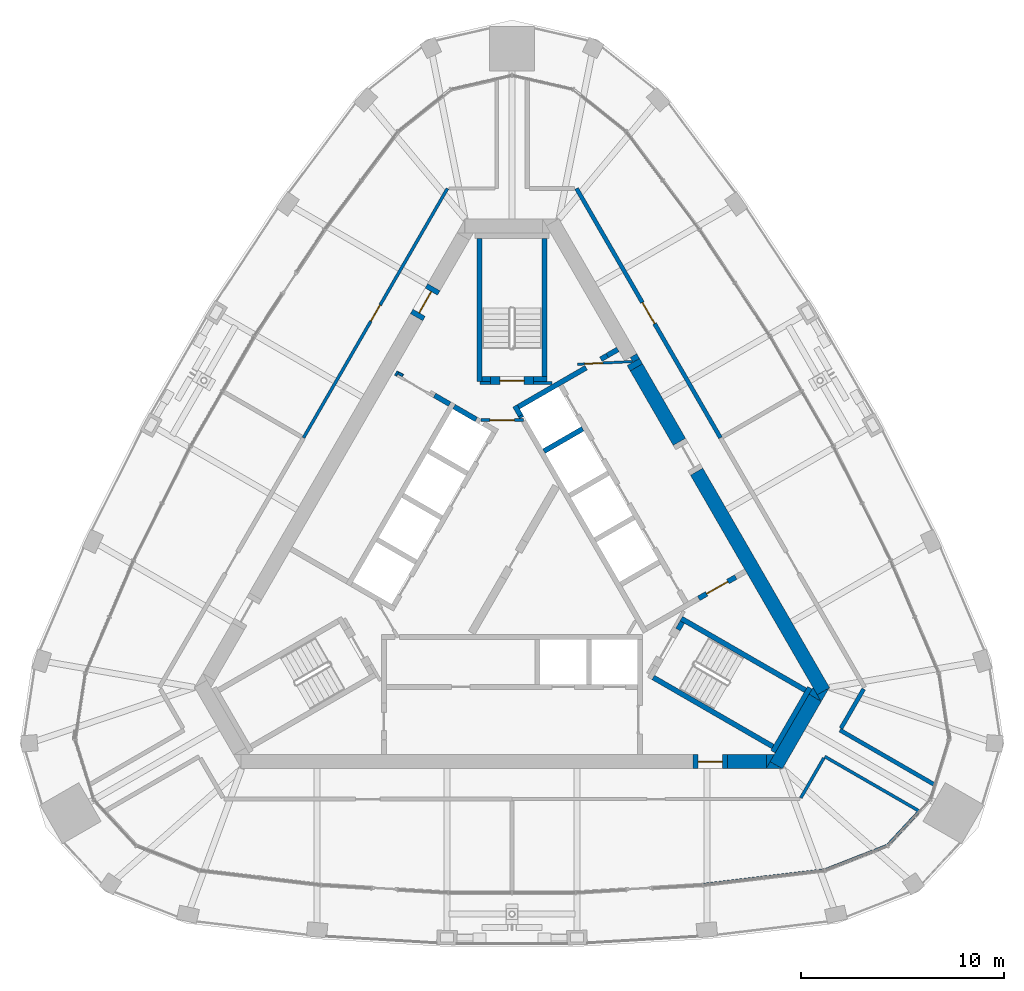
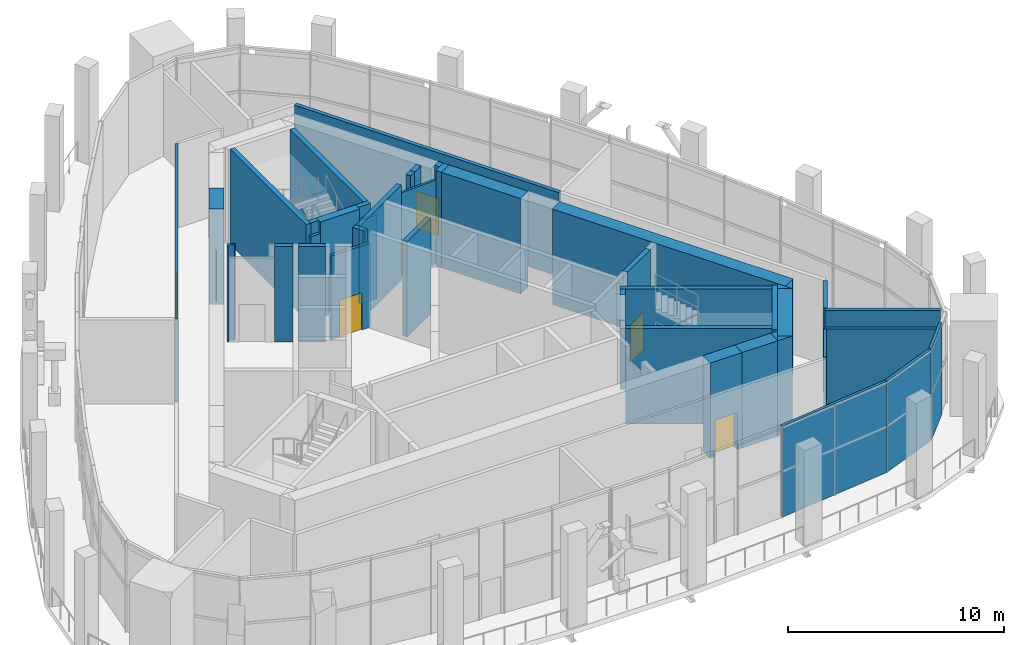
# One storey, part 15 of 23: 45 walls, 8 doors, 8 openings.
"""IFC4 building model written with IfcOpenShell, lengths in metres."""

from ifc_helpers import new_model, si_unit, direction, frame, frame_2d, origin, place, context, subcontext, project, spatial, polyline, rectangle, outline, extrude, material, layer, layer_set, type_object, element, fill, save


model = new_model("IFC4")

# Units and contexts
model_context = context("Model", 3, precision=1e-05, world=origin(), true_north=direction((0.0, 1.0)))
body_context = subcontext(model_context, "Body", "Model", "MODEL_VIEW")
ifc_project = project(units=[si_unit("LENGTHUNIT", "METRE"), si_unit("AREAUNIT", "SQUARE_METRE"), si_unit("VOLUMEUNIT", "CUBIC_METRE"), si_unit("PLANEANGLEUNIT", "RADIAN"), si_unit("MASSUNIT", "GRAM", prefix="KILO")], contexts=[model_context])

# Site, building, storey
site_placement = place(None, origin())
site = spatial("IfcSite", under=ifc_project, at=site_placement, CompositionType="ELEMENT")
building_placement = place(site_placement, origin())
building = spatial("IfcBuilding", under=site, at=building_placement, Name="Mestral Congress Tower", CompositionType="ELEMENT")
storey_placement = place(building_placement, frame((0.0, 0.0, 261.60009765625)))
storey = spatial("IfcBuildingStorey", under=building, at=storey_placement, Name="L61", CompositionType="ELEMENT", Elevation=261.60009765625)

# Walls
ifc_material_1 = material(Name="Fire-rated board partition")
ifc_layer_1 = layer(ifc_material_1, 0.14990234375)
ifc_layer_set_1 = layer_set([ifc_layer_1], Name="Fire-rated board partition")
wall_type_1 = type_object("IfcWallType", Name="Core partition 150", PredefinedType="PARTITIONING", material=ifc_layer_set_1)
wall_1_placement = place(storey_placement, frame((1.050048828125, 8.62548828125, 0.0), z_axis=(0.0, 0.0, 1.0), x_axis=(1.0, 0.0, 0.0)))
element("IfcWall", 1, at=wall_1_placement, inside=storey, type_object=wall_type_1, Name="L61 core wall", PredefinedType="PARTITIONING", context=body_context, shape_type="SweptSolid", body=[
    extrude(rectangle(XDim=0.9287109375, YDim=0.14990234375, at=frame_2d((0.46435546875, 0.0))), origin(), (0.0, 0.0, 1.0), 4.75),
])
wall_2_placement = place(storey_placement, frame((-1.56396484375, 8.62548828125, 0.0), z_axis=(0.0, 0.0, 1.0), x_axis=(1.0, 0.0, 0.0)))
element("IfcWall", 2, at=wall_2_placement, inside=storey, type_object=wall_type_1, Name="L61 core wall", PredefinedType="PARTITIONING", context=body_context, shape_type="SweptSolid", body=[
    extrude(rectangle(XDim=0.513916015625, YDim=0.14990234375, at=frame_2d((0.2568359375, 0.0))), origin(), (0.0, 0.0, 1.0), 4.75),
])

# Wall, opening, door
wall_3_placement = place(storey_placement, frame((-1.534423828125, 6.800048828125, 0.0), z_axis=(0.0, 0.0, 1.0), x_axis=(1.0, 0.0, 0.0)))
wall_3 = element("IfcWall", 3, at=wall_3_placement, inside=storey, type_object=wall_type_1, Name="L61 door wall", PredefinedType="PARTITIONING", context=body_context, shape_type="SweptSolid", body=[
    extrude(rectangle(XDim=2.099853515625, YDim=0.14990234375, at=frame_2d((1.0498046875, 0.0))), origin(), (0.0, 0.0, 1.0), 4.75),
])
opening_1_placement = place(wall_3_placement, frame((0.449951171875, 0.0, 0.0)))
opening_1 = element("IfcOpeningElement", 4, at=opening_1_placement, cuts=wall_3, Name="Opening CD2-FF", PredefinedType="OPENING", context=body_context, shape_type="SweptSolid", body=[
    extrude(rectangle(XDim=1.199951171875, YDim=2.10009765625, at=frame_2d((0.60009765625, 1.050048828125))), frame((0.0, 0.0849609375, 0.0), z_axis=(0.0, -1.0, 0.0), x_axis=(1.0, 0.0, 0.0)), (0.0, 0.0, 1.0), 0.169921875),
])
ifc_material_2 = material(Name="Fire-rated steel door set", Category="steel")
door_type_1 = type_object("IfcDoorType", Name="Core door CD 1200x2100", OperationType="SINGLE_SWING_LEFT", PredefinedType="DOOR", material=ifc_material_2)
door_1_placement = place(opening_1_placement, origin())
door_1 = element("IfcDoor", 5, at=door_1_placement, inside=storey, type_object=door_type_1, Name="Door CD2-FF", OperationType="SINGLE_SWING_LEFT", OverallHeight=2.10009765625, OverallWidth=1.199951171875, PredefinedType="DOOR", context=body_context, shape_type="SweptSolid", body=[
    extrude(rectangle(XDim=1.199951171875, YDim=2.10009765625, at=frame_2d((0.60009765625, 1.050048828125))), frame((0.0, 0.02490234375, 0.0), z_axis=(0.0, -1.0, 0.0), x_axis=(1.0, 0.0, 0.0)), (0.0, 0.0, 1.0), 0.050048828125),
])
fill(opening_1, door_1)

ifc_layer_2 = layer(ifc_material_1, 0.1201171875)
ifc_layer_set_2 = layer_set([ifc_layer_2], Name="Fire-rated board partition")
wall_type_2 = type_object("IfcWallType", Name="Core partition 150 door-wall 120", PredefinedType="PARTITIONING", material=ifc_layer_set_2)
wall_4_placement = place(storey_placement, frame((5.917236328125, 9.684326171875, 0.0), z_axis=(0.0, 0.0, 1.0), x_axis=(-0.998758194515, -0.049820366212, 0.0)))
wall_4 = element("IfcWall", 6, at=wall_4_placement, inside=storey, type_object=wall_type_2, Name="L61 door wall", PredefinedType="PARTITIONING", context=body_context, shape_type="SweptSolid", body=[
    extrude(rectangle(XDim=2.7001953125, YDim=0.119873046875, at=frame_2d((1.35009765625, 0.0))), origin(), (0.0, 0.0, 1.0), 4.75),
])
opening_2_placement = place(wall_4_placement, frame((1.449951171875, 0.0, 0.0)))
opening_2 = element("IfcOpeningElement", 7, at=opening_2_placement, cuts=wall_4, Name="Opening TD2", PredefinedType="OPENING", context=body_context, shape_type="SweptSolid", body=[
    extrude(rectangle(XDim=0.89990234375, YDim=2.10009765625, at=frame_2d((0.449951171875, 1.050048828125))), frame((0.0, 0.06982421875, 0.0), z_axis=(0.0, -1.0, 0.0), x_axis=(1.0, 0.0, 0.0)), (0.0, 0.0, 1.0), 0.139892578125),
])
door_type_2 = type_object("IfcDoorType", Name="Core door SR 900x2100", OperationType="SINGLE_SWING_LEFT", PredefinedType="DOOR", material=ifc_material_2)
door_2_placement = place(opening_2_placement, origin())
door_2 = element("IfcDoor", 8, at=door_2_placement, inside=storey, type_object=door_type_2, Name="Door TD2", OperationType="SINGLE_SWING_LEFT", OverallHeight=2.10009765625, OverallWidth=0.89990234375, PredefinedType="DOOR", context=body_context, shape_type="SweptSolid", body=[
    extrude(rectangle(XDim=0.89990234375, YDim=2.10009765625, at=frame_2d((0.449951171875, 1.050048828125))), frame((0.0, 0.02490234375, 0.0), z_axis=(0.0, -1.0, 0.0), x_axis=(1.0, 0.0, 0.0)), (0.0, 0.0, 1.0), 0.050048828125),
])
fill(opening_2, door_2)

# Walls
ifc_material_3 = material(Name="Concrete C60/75", Category="concrete")
ifc_layer_3 = layer(ifc_material_3, 0.699951171875)
ifc_layer_set_3 = layer_set([ifc_layer_3], Name="Concrete C60/75")
wall_type_3 = type_object("IfcWallType", Name="Core wall RC 700", PredefinedType="SOLIDWALL", material=ifc_layer_set_3)
wall_5_placement = place(storey_placement, frame((9.085205078125, 4.263916015625, 0.0), z_axis=(0.0, 0.0, 1.0), x_axis=(0.499998082512, -0.866026510844, 0.0)))
element("IfcWall", 9, at=wall_5_placement, inside=storey, type_object=wall_type_3, Name="L61 core wall", PredefinedType="SOLIDWALL", context=body_context, shape_type="SweptSolid", body=[
    extrude(rectangle(XDim=12.47216796875, YDim=0.699951171875, at=frame_2d((6.236083984375, 0.0))), origin(), (0.0, 0.0, 1.0), 5.39990234375),
])
placement = place(storey_placement, origin())
element("IfcWall", 10, at=placement, inside=storey, type_object=wall_type_3, Name="L61 core wall", PredefinedType="SOLIDWALL", context=body_context, shape_type="SweptSolid", body=[
    extrude(outline(polyline([(15.213134765625, -7.050048828125), (15.019287109375, -6.714111328125), (15.60107421875, -6.3779296875), (15.213134765625, -7.050048828125)])), origin(), (0.0, 0.0, 1.0), 5.39990234375),
])
wall_7_placement = place(storey_placement, frame((13.002685546875, -10.1787109375, 0.0), z_axis=(0.0, 0.0, 1.0), x_axis=(0.499972675833, 0.866041178825, 0.0)))
element("IfcWall", 11, at=wall_7_placement, inside=storey, type_object=wall_type_3, Name="L61 core wall", PredefinedType="SOLIDWALL", context=body_context, shape_type="SweptSolid", body=[
    extrude(rectangle(XDim=3.828857421875, YDim=0.699951171875, at=frame_2d((1.91455078125, 0.0))), origin(), (0.0, 0.0, 1.0), 5.39990234375),
])
element("IfcWall", 12, at=placement, inside=storey, type_object=wall_type_3, Name="L61 core wall", PredefinedType="SOLIDWALL", context=body_context, shape_type="SweptSolid", body=[
    extrude(outline(polyline([(12.698486328125, -10.00537109375), (13.295654296875, -10.35009765625), (12.49951171875, -10.35009765625), (12.698486328125, -10.00537109375)])), origin(), (0.0, 0.0, 1.0), 5.39990234375),
])
element("IfcWall", 13, at=placement, inside=storey, type_object=wall_type_3, Name="L61 core wall", PredefinedType="SOLIDWALL", context=body_context, shape_type="SweptSolid", body=[
    extrude(outline(polyline([(14.80908203125, -6.35009765625), (15.197265625, -7.022216796875), (14.614990234375, -6.68603515625), (14.80908203125, -6.35009765625)])), origin(), (0.0, 0.0, 1.0), 5.39990234375),
])
wall_10_placement = place(storey_placement, frame((10.6044921875, -10.0, 0.0), z_axis=(0.0, 0.0, 1.0), x_axis=(1.0, 0.0, 0.0)))
element("IfcWall", 14, at=wall_10_placement, inside=storey, type_object=wall_type_3, Name="L61 core wall", PredefinedType="SOLIDWALL", context=body_context, shape_type="SweptSolid", body=[
    extrude(rectangle(XDim=1.909423828125, YDim=0.699951171875, at=frame_2d((0.95458984375, 0.0))), origin(), (0.0, 0.0, 1.0), 5.39990234375),
])
element("IfcWall", 15, at=placement, inside=storey, type_object=wall_type_3, Name="L61 core wall", PredefinedType="SOLIDWALL", context=body_context, shape_type="SweptSolid", body=[
    extrude(outline(polyline([(12.90380859375, -9.64990234375), (12.515869140625, -10.322021484375), (12.515869140625, -9.64990234375), (12.90380859375, -9.64990234375)])), origin(), (0.0, 0.0, 1.0), 5.39990234375),
])
wall_12_placement = place(storey_placement, frame((6.1201171875, 9.3994140625, 0.0), z_axis=(0.0, 0.0, 1.0), x_axis=(-0.499792463624, 0.866145191815, 0.0)))
element("IfcWall", 16, at=wall_12_placement, inside=storey, type_object=wall_type_3, Name="L61 core wall", PredefinedType="SOLIDWALL", context=body_context, shape_type="SweptSolid", body=[
    extrude(rectangle(XDim=0.302001953125, YDim=0.699951171875, at=frame_2d((0.15087890625, 0.0))), origin(), (0.0, 0.0, 1.0), 5.39990234375),
])
element("IfcWall", 17, at=placement, inside=storey, type_object=wall_type_3, Name="L61 core wall", PredefinedType="SOLIDWALL", context=body_context, shape_type="SweptSolid", body=[
    extrude(outline(polyline([(6.13720703125, 10.06982421875), (6.271240234375, 9.837646484375), (5.952392578125, 9.65380859375), (5.818603515625, 9.8857421875), (6.13720703125, 10.06982421875)])), origin(), (0.0, 0.0, 1.0), 5.39990234375),
])
wall_14_placement = place(storey_placement, frame((6.12109375, 9.397705078125, 0.0), z_axis=(0.0, 0.0, 1.0), x_axis=(0.499995697976, -0.866027887545, 0.0)))
element("IfcWall", 18, at=wall_14_placement, inside=storey, type_object=wall_type_3, Name="L61 core wall", PredefinedType="SOLIDWALL", context=body_context, shape_type="SweptSolid", body=[
    extrude(rectangle(XDim=4.22802734375, YDim=0.699951171875, at=frame_2d((2.114013671875, 0.0))), origin(), (0.0, 0.0, 1.0), 5.39990234375),
])

# Wall, opening, door
wall_15_placement = place(storey_placement, frame((10.6044921875, -10.0, 0.0), z_axis=(0.0, 0.0, 1.0), x_axis=(-1.0, 0.0, 0.0)))
wall_15 = element("IfcWall", 19, at=wall_15_placement, inside=storey, type_object=wall_type_3, Name="L61 door wall", PredefinedType="SOLIDWALL", context=body_context, shape_type="SweptSolid", body=[
    extrude(rectangle(XDim=1.699951171875, YDim=0.699951171875, at=frame_2d((0.85009765625, 0.0))), origin(), (0.0, 0.0, 1.0), 5.39990234375),
])
opening_3_placement = place(wall_15_placement, frame((0.25, 0.0, 0.0)))
opening_3 = element("IfcOpeningElement", 20, at=opening_3_placement, cuts=wall_15, Name="Opening XD1", PredefinedType="OPENING", context=body_context, shape_type="SweptSolid", body=[
    extrude(rectangle(XDim=1.199951171875, YDim=2.10009765625, at=frame_2d((0.60009765625, 1.050048828125))), frame((0.0, 0.35986328125, 0.0), z_axis=(0.0, -1.0, 0.0), x_axis=(1.0, 0.0, 0.0)), (0.0, 0.0, 1.0), 0.719970703125),
])
door_type_3 = type_object("IfcDoorType", Name="Core door XD 1200x2100", OperationType="SINGLE_SWING_LEFT", PredefinedType="DOOR", material=ifc_material_2)
door_3_placement = place(opening_3_placement, origin())
door_3 = element("IfcDoor", 21, at=door_3_placement, inside=storey, type_object=door_type_3, Name="Door XD1", OperationType="SINGLE_SWING_LEFT", OverallHeight=2.10009765625, OverallWidth=1.199951171875, PredefinedType="DOOR", context=body_context, shape_type="SweptSolid", body=[
    extrude(rectangle(XDim=1.199951171875, YDim=2.10009765625, at=frame_2d((0.60009765625, 1.050048828125))), frame((0.0, 0.02490234375, 0.0), z_axis=(0.0, -1.0, 0.0), x_axis=(1.0, 0.0, 0.0)), (0.0, 0.0, 1.0), 0.050048828125),
])
fill(opening_3, door_3)

wall_16_placement = place(storey_placement, frame((-4.695556640625, 11.866943359375, 0.0), z_axis=(0.0, 0.0, 1.0), x_axis=(0.499892348375, 0.866087547558, 0.0)))
wall_16 = element("IfcWall", 22, at=wall_16_placement, inside=storey, type_object=wall_type_3, Name="L61 door wall", PredefinedType="SOLIDWALL", context=body_context, shape_type="SweptSolid", body=[
    extrude(rectangle(XDim=1.699951171875, YDim=0.699951171875, at=frame_2d((0.85009765625, 0.0))), origin(), (0.0, 0.0, 1.0), 5.39990234375),
])
opening_4_placement = place(wall_16_placement, frame((0.25, 0.0, 0.0)))
opening_4 = element("IfcOpeningElement", 23, at=opening_4_placement, cuts=wall_16, Name="Opening XD2", PredefinedType="OPENING", context=body_context, shape_type="SweptSolid", body=[
    extrude(rectangle(XDim=1.199951171875, YDim=2.10009765625, at=frame_2d((0.60009765625, 1.050048828125))), frame((0.0, 0.35986328125, 0.0), z_axis=(0.0, -1.0, 0.0), x_axis=(1.0, 0.0, 0.0)), (0.0, 0.0, 1.0), 0.719970703125),
])
door_4_placement = place(opening_4_placement, origin())
door_4 = element("IfcDoor", 24, at=door_4_placement, inside=storey, type_object=door_type_3, Name="Door XD2", OperationType="SINGLE_SWING_LEFT", OverallHeight=2.10009765625, OverallWidth=1.199951171875, PredefinedType="DOOR", context=body_context, shape_type="SweptSolid", body=[
    extrude(rectangle(XDim=1.199951171875, YDim=2.10009765625, at=frame_2d((0.60009765625, 1.050048828125))), frame((0.0, 0.02490234375, 0.0), z_axis=(0.0, -1.0, 0.0), x_axis=(1.0, 0.0, 0.0)), (0.0, 0.0, 1.0), 0.050048828125),
])
fill(opening_4, door_4)

# Walls
ifc_layer_4 = layer(ifc_material_3, 0.25)
ifc_layer_set_4 = layer_set([ifc_layer_4], Name="Concrete C60/75")
wall_type_4 = type_object("IfcWallType", Name="Shaft wall RC 250", PredefinedType="SOLIDWALL", material=ifc_layer_set_4)
wall_17_placement = place(storey_placement, frame((0.473388671875, 6.93017578125, 0.0), z_axis=(0.0, 0.0, 1.0), x_axis=(-0.49972245349, 0.866185586049, 0.0)))
element("IfcWall", 25, at=wall_17_placement, inside=storey, type_object=wall_type_4, Name="L61 core wall", PredefinedType="SOLIDWALL", context=body_context, shape_type="SweptSolid", body=[
    extrude(rectangle(XDim=0.10986328125, YDim=0.25, at=frame_2d((0.054931640625, 0.0))), origin(), (0.0, 0.0, 1.0), 5.39990234375),
])
wall_18_placement = place(storey_placement, frame((0.41748046875, 7.027099609375, 0.0), z_axis=(0.0, 0.0, 1.0), x_axis=(-0.500210807569, 0.865903659763, 0.0)))
element("IfcWall", 26, at=wall_18_placement, inside=storey, type_object=wall_type_4, Name="L61 core wall", PredefinedType="SOLIDWALL", context=body_context, shape_type="SweptSolid", body=[
    extrude(rectangle(XDim=0.548095703125, YDim=0.25, at=frame_2d((0.27392578125, 0.0))), origin(), (0.0, 0.0, 1.0), 5.39990234375),
])
wall_19_placement = place(storey_placement, frame((3.647216796875, 9.38037109375, 0.0), z_axis=(0.0, 0.0, 1.0), x_axis=(-0.866025015791, -0.500000672024, 0.0)))
element("IfcWall", 27, at=wall_19_placement, inside=storey, type_object=wall_type_4, Name="L61 core wall", PredefinedType="SOLIDWALL", context=body_context, shape_type="SweptSolid", body=[
    extrude(rectangle(XDim=3.8486328125, YDim=0.25, at=frame_2d((1.92431640625, 0.0))), origin(), (0.0, 0.0, 1.0), 5.39990234375),
])
wall_20_placement = place(storey_placement, frame((1.57421875, 5.273681640625, 0.0), z_axis=(0.0, 0.0, 1.0), x_axis=(0.866028486751, 0.499994660107, 0.0)))
element("IfcWall", 28, at=wall_20_placement, inside=storey, type_object=wall_type_4, Name="L61 core wall", PredefinedType="SOLIDWALL", context=body_context, shape_type="SweptSolid", body=[
    extrude(rectangle(XDim=2.19970703125, YDim=0.25, at=frame_2d((1.099853515625, 0.0))), origin(), (0.0, 0.0, 1.0), 5.39990234375),
])
wall_21_placement = place(storey_placement, frame((4.6875, 9.98095703125, 0.0), z_axis=(0.0, 0.0, 1.0), x_axis=(-0.865974312977, -0.500088481434, 0.0)))
element("IfcWall", 29, at=wall_21_placement, inside=storey, type_object=wall_type_4, Name="L61 core wall", PredefinedType="SOLIDWALL", context=body_context, shape_type="SweptSolid", body=[
    extrude(rectangle(XDim=0.36572265625, YDim=0.25, at=frame_2d((0.182861328125, 0.0))), origin(), (0.0, 0.0, 1.0), 5.39990234375),
])
wall_22_placement = place(storey_placement, frame((4.689208984375, 9.98193359375, 0.0), z_axis=(0.0, 0.0, 1.0), x_axis=(0.865947592822, 0.500134748329, 0.0)))
element("IfcWall", 30, at=wall_22_placement, inside=storey, type_object=wall_type_4, Name="L61 core wall", PredefinedType="SOLIDWALL", context=body_context, shape_type="SweptSolid", body=[
    extrude(rectangle(XDim=0.597900390625, YDim=0.25, at=frame_2d((0.298828125, 0.0))), origin(), (0.0, 0.0, 1.0), 5.39990234375),
])
wall_23_placement = place(storey_placement, frame((-1.760009765625, 6.835693359375, 0.0), z_axis=(0.0, 0.0, 1.0), x_axis=(-0.865952863304, 0.500125622755, 0.0)))
element("IfcWall", 31, at=wall_23_placement, inside=storey, type_object=wall_type_4, Name="L61 core wall", PredefinedType="SOLIDWALL", context=body_context, shape_type="SweptSolid", body=[
    extrude(rectangle(XDim=1.258056640625, YDim=0.25, at=frame_2d((0.62890625, 0.0))), origin(), (0.0, 0.0, 1.0), 5.39990234375),
])
wall_24_placement = place(storey_placement, frame((-5.724609375, 9.124755859375, 0.0), z_axis=(0.0, 0.0, 1.0), x_axis=(0.866185586049, -0.49972245349, 0.0)))
element("IfcWall", 32, at=wall_24_placement, inside=storey, type_object=wall_type_4, Name="L61 core wall", PredefinedType="SOLIDWALL", context=body_context, shape_type="SweptSolid", body=[
    extrude(rectangle(XDim=0.10986328125, YDim=0.25, at=frame_2d((0.054931640625, 0.0))), origin(), (0.0, 0.0, 1.0), 5.39990234375),
])
wall_25_placement = place(storey_placement, frame((-3.06591796875, 7.58984375, 0.0), z_axis=(0.0, 0.0, 1.0), x_axis=(-0.866081358704, 0.49990307071, 0.0)))
element("IfcWall", 33, at=wall_25_placement, inside=storey, type_object=wall_type_4, Name="L61 core wall", PredefinedType="SOLIDWALL", context=body_context, shape_type="SweptSolid", body=[
    extrude(rectangle(XDim=0.858154296875, YDim=0.25, at=frame_2d((0.42919921875, 0.0))), origin(), (0.0, 0.0, 1.0), 5.39990234375),
])
element("IfcWall", 34, at=placement, inside=storey, type_object=wall_type_4, Name="L61 core wall", PredefinedType="SOLIDWALL", context=body_context, shape_type="SweptSolid", body=[
    extrude(outline(polyline([(-5.688720703125, 8.959716796875), (-5.690185546875, 8.960693359375), (-5.565185546875, 9.177001953125), (-5.318603515625, 9.03466796875), (-5.334716796875, 9.02587890625), (-5.3505859375, 9.0146484375), (-5.36572265625, 9.001953125), (-5.37939453125, 8.98779296875), (-5.3916015625, 8.972412109375), (-5.402099609375, 8.955810546875), (-5.412109375, 8.938720703125), (-5.628662109375, 9.063720703125), (-5.628662109375, 9.063720703125), (-5.688720703125, 8.959716796875)])), origin(), (0.0, 0.0, 1.0), 5.39990234375),
])

# Wall, opening, door
wall_27_placement = place(storey_placement, frame((11.0087890625, -0.918701171875, 0.0), z_axis=(0.0, 0.0, 1.0), x_axis=(-0.866059744384, -0.49994051562, 0.0)))
wall_27 = element("IfcWall", 35, at=wall_27_placement, inside=storey, type_object=wall_type_4, Name="L61 door wall", PredefinedType="SOLIDWALL", context=body_context, shape_type="SweptSolid", body=[
    extrude(rectangle(XDim=2.099853515625, YDim=0.25, at=frame_2d((1.0498046875, 0.0))), origin(), (0.0, 0.0, 1.0), 5.39990234375),
])
opening_5_placement = place(wall_27_placement, frame((0.449951171875, 0.0, 0.0)))
opening_5 = element("IfcOpeningElement", 36, at=opening_5_placement, cuts=wall_27, Name="Opening LB1-PX10", PredefinedType="OPENING", context=body_context, shape_type="SweptSolid", body=[
    extrude(rectangle(XDim=1.199951171875, YDim=2.10009765625, at=frame_2d((0.60009765625, 1.050048828125))), frame((0.0, 0.135009765625, 0.0), z_axis=(0.0, -1.0, 0.0), x_axis=(1.0, 0.0, 0.0)), (0.0, 0.0, 1.0), 0.27001953125),
])
door_type_4 = type_object("IfcDoorType", Name="Core door LB 1200x2100", OperationType="SINGLE_SWING_LEFT", PredefinedType="DOOR", material=ifc_material_2)
door_5_placement = place(opening_5_placement, origin())
door_5 = element("IfcDoor", 37, at=door_5_placement, inside=storey, type_object=door_type_4, Name="Door LB1-PX10", OperationType="SINGLE_SWING_LEFT", OverallHeight=2.10009765625, OverallWidth=1.199951171875, PredefinedType="DOOR", context=body_context, shape_type="SweptSolid", body=[
    extrude(rectangle(XDim=1.199951171875, YDim=2.10009765625, at=frame_2d((0.60009765625, 1.050048828125))), frame((0.0, 0.02490234375, 0.0), z_axis=(0.0, -1.0, 0.0), x_axis=(1.0, 0.0, 0.0)), (0.0, 0.0, 1.0), 0.050048828125),
])
fill(opening_5, door_5)

# Walls
ifc_material_4 = material(Name="Aluminium-framed glazed screen", Category="aluminium")
ifc_layer_5 = layer(ifc_material_4, 0.14990234375)
ifc_layer_set_5 = layer_set([ifc_layer_5], Name="Aluminium-framed glazed screen")
wall_type_5 = type_object("IfcWallType", Name="Special deck access screen 150", PredefinedType="PARTITIONING", material=ifc_layer_set_5)
wall_28_placement = place(storey_placement, frame((9.390380859375, -16.056396484375, 0.0), z_axis=(0.0, 0.0, 1.0), x_axis=(0.992885830537, 0.119070262948, 0.0)))
element("IfcWall", 38, at=wall_28_placement, inside=storey, type_object=wall_type_5, Name="Deck access screen wall", PredefinedType="PARTITIONING", context=body_context, shape_type="SweptSolid", body=[
    extrude(rectangle(XDim=6.036376953125, YDim=0.14990234375, at=frame_2d((3.01806640625, 0.0))), origin(), (0.0, 0.0, 1.0), 5.14990234375),
])
wall_29_placement = place(storey_placement, frame((15.40234375, -15.3330078125, 0.0), z_axis=(0.0, 0.0, 1.0), x_axis=(0.930983128498, 0.365062206277, 0.0)))
element("IfcWall", 39, at=wall_29_placement, inside=storey, type_object=wall_type_5, Name="Deck access screen wall", PredefinedType="PARTITIONING", context=body_context, shape_type="SweptSolid", body=[
    extrude(rectangle(XDim=3.27685546875, YDim=0.14990234375, at=frame_2d((1.638427734375, 0.0))), origin(), (0.0, 0.0, 1.0), 5.14990234375),
])
wall_30_placement = place(storey_placement, frame((18.480712890625, -14.117919921875, 0.0), z_axis=(0.0, 0.0, 1.0), x_axis=(0.680331721343, 0.732904324544, 0.0)))
element("IfcWall", 40, at=wall_30_placement, inside=storey, type_object=wall_type_5, Name="Deck access screen wall", PredefinedType="PARTITIONING", context=body_context, shape_type="SweptSolid", body=[
    extrude(rectangle(XDim=2.196533203125, YDim=0.14990234375, at=frame_2d((1.09814453125, 0.0))), origin(), (0.0, 0.0, 1.0), 5.14990234375),
])

# Wall, opening, door
ifc_layer_6 = layer(ifc_material_1, 0.14990234375)
ifc_layer_set_6 = layer_set([ifc_layer_6], Name="Fire-rated board partition")
wall_type_6 = type_object("IfcWallType", Name="Special partition 150 EI 120", PredefinedType="PARTITIONING", material=ifc_layer_set_6)
wall_31_placement = place(storey_placement, frame((-3.17529296875, 18.199951171875, 0.0), z_axis=(0.0, 0.0, 1.0), x_axis=(-0.500015389047, -0.866016518732, 0.0)))
wall_31 = element("IfcWall", 41, at=wall_31_placement, inside=storey, type_object=wall_type_6, Name="Partition", PredefinedType="PARTITIONING", context=body_context, shape_type="SweptSolid", body=[
    extrude(rectangle(XDim=14.1640625, YDim=0.14990234375, at=frame_2d((7.08203125, 0.0))), origin(), (0.0, 0.0, 1.0), 4.75),
])
opening_6_placement = place(wall_31_placement, frame((6.632080078125, 0.0, 0.0)))
opening_6 = element("IfcOpeningElement", 42, at=opening_6_placement, cuts=wall_31, Name="Opening S61-006", PredefinedType="OPENING", context=body_context, shape_type="SweptSolid", body=[
    extrude(rectangle(XDim=0.89990234375, YDim=2.10009765625, at=frame_2d((0.449951171875, 1.050048828125))), frame((0.0, 0.0849609375, 0.0), z_axis=(0.0, -1.0, 0.0), x_axis=(1.0, 0.0, 0.0)), (0.0, 0.0, 1.0), 0.169921875),
])
ifc_material_5 = material(Name="Timber door set", Category="wood")
door_type_5 = type_object("IfcDoorType", Name="Room door 900x2100", OperationType="SINGLE_SWING_LEFT", PredefinedType="DOOR", material=ifc_material_5)
door_6_placement = place(opening_6_placement, origin())
door_6 = element("IfcDoor", 43, at=door_6_placement, inside=storey, type_object=door_type_5, Name="Door S61-006", OperationType="SINGLE_SWING_RIGHT", OverallHeight=2.10009765625, OverallWidth=0.89990234375, PredefinedType="DOOR", context=body_context, shape_type="SweptSolid", body=[
    extrude(rectangle(XDim=0.89990234375, YDim=2.10009765625, at=frame_2d((0.449951171875, 1.050048828125))), frame((0.0, 0.02490234375, 0.0), z_axis=(0.0, -1.0, 0.0), x_axis=(1.0, 0.0, 0.0)), (0.0, 0.0, 1.0), 0.050048828125),
])
fill(opening_6, door_6)

# Walls
wall_32_placement = place(storey_placement, frame((20.02001953125, -12.424560546875, 0.0), z_axis=(0.0, 0.0, 1.0), x_axis=(-0.866024483152, 0.500001594578, 0.0)))
element("IfcWall", 44, at=wall_32_placement, inside=storey, type_object=wall_type_6, Name="Partition", PredefinedType="PARTITIONING", context=body_context, shape_type="SweptSolid", body=[
    extrude(rectangle(XDim=5.35009765625, YDim=0.14990234375, at=frame_2d((2.675048828125, 0.0))), origin(), (0.0, 0.0, 1.0), 4.75),
])
wall_33_placement = place(storey_placement, frame((15.3466796875, -9.81884765625, 0.0), z_axis=(0.0, 0.0, 1.0), x_axis=(-0.50001657589, -0.866015833478, 0.0)))
element("IfcWall", 45, at=wall_33_placement, inside=storey, type_object=wall_type_6, Name="Partition", PredefinedType="PARTITIONING", context=body_context, shape_type="SweptSolid", body=[
    extrude(rectangle(XDim=2.275390625, YDim=0.14990234375, at=frame_2d((1.1376953125, 0.0))), origin(), (0.0, 0.0, 1.0), 4.75),
])

# Wall, opening, door
ifc_material_6 = material(Name="Concrete block wall, plastered", Category="concrete")
ifc_layer_7 = layer(ifc_material_6, 0.199951171875)
ifc_layer_set_7 = layer_set([ifc_layer_7], Name="Concrete block wall, plastered")
wall_type_7 = type_object("IfcWallType", Name="Special partition 200 EI 120", PredefinedType="PARTITIONING", material=ifc_layer_set_7)
wall_34_placement = place(storey_placement, frame((10.257568359375, 5.93359375, 0.0), z_axis=(0.0, 0.0, 1.0), x_axis=(-0.500015389047, 0.866016518732, 0.0)))
wall_34 = element("IfcWall", 46, at=wall_34_placement, inside=storey, type_object=wall_type_7, Name="Partition", PredefinedType="PARTITIONING", context=body_context, shape_type="SweptSolid", body=[
    extrude(rectangle(XDim=14.1640625, YDim=0.199951171875, at=frame_2d((7.08203125, 0.0))), origin(), (0.0, 0.0, 1.0), 4.75),
])
opening_7_placement = place(wall_34_placement, frame((6.482177734375, 0.0, 0.0)))
opening_7 = element("IfcOpeningElement", 47, at=opening_7_placement, cuts=wall_34, Name="Opening S61-005", PredefinedType="OPENING", context=body_context, shape_type="SweptSolid", body=[
    extrude(rectangle(XDim=1.199951171875, YDim=2.10009765625, at=frame_2d((0.60009765625, 1.050048828125))), frame((0.0, 0.10986328125, 0.0), z_axis=(0.0, -1.0, 0.0), x_axis=(1.0, 0.0, 0.0)), (0.0, 0.0, 1.0), 0.219970703125),
])
door_type_6 = type_object("IfcDoorType", Name="Plant room door 1200x2100", OperationType="SINGLE_SWING_LEFT", PredefinedType="DOOR", material=ifc_material_2)
door_7_placement = place(opening_7_placement, origin())
door_7 = element("IfcDoor", 48, at=door_7_placement, inside=storey, type_object=door_type_6, Name="Door S61-005", OperationType="SINGLE_SWING_RIGHT", OverallHeight=2.10009765625, OverallWidth=1.199951171875, PredefinedType="DOOR", context=body_context, shape_type="SweptSolid", body=[
    extrude(rectangle(XDim=1.199951171875, YDim=2.10009765625, at=frame_2d((0.60009765625, 1.050048828125))), frame((0.0, 0.02490234375, 0.0), z_axis=(0.0, -1.0, 0.0), x_axis=(1.0, 0.0, 0.0)), (0.0, 0.0, 1.0), 0.050048828125),
])
fill(opening_7, door_7)

# Walls
wall_35_placement = place(storey_placement, frame((16.13671875, -8.450439453125, 0.0), z_axis=(0.0, 0.0, 1.0), x_axis=(0.866024483152, -0.500001594578, 0.0)))
element("IfcWall", 49, at=wall_35_placement, inside=storey, type_object=wall_type_7, Name="Partition", PredefinedType="PARTITIONING", context=body_context, shape_type="SweptSolid", body=[
    extrude(rectangle(XDim=5.35009765625, YDim=0.199951171875, at=frame_2d((2.675048828125, 0.0))), origin(), (0.0, 0.0, 1.0), 4.75),
])
wall_36_placement = place(storey_placement, frame((17.304443359375, -6.427978515625, 0.0), z_axis=(0.0, 0.0, 1.0), x_axis=(-0.499968249168, -0.86604373436, 0.0)))
element("IfcWall", 50, at=wall_36_placement, inside=storey, type_object=wall_type_7, Name="Partition", PredefinedType="PARTITIONING", context=body_context, shape_type="SweptSolid", body=[
    extrude(rectangle(XDim=2.235595703125, YDim=0.199951171875, at=frame_2d((1.11767578125, 0.0))), origin(), (0.0, 0.0, 1.0), 4.75),
])
ifc_layer_8 = layer(ifc_material_3, 0.25)
ifc_layer_set_8 = layer_set([ifc_layer_8], Name="Concrete C60/75")
wall_type_8 = type_object("IfcWallType", Name="Stair wall RC 250", PredefinedType="SOLIDWALL", material=ifc_layer_set_8)
wall_37_placement = place(storey_placement, frame((12.839599609375, -9.510986328125, 0.0), z_axis=(0.0, 0.0, 1.0), x_axis=(0.500048121057, 0.865997619297, 0.0)))
element("IfcWall", 51, at=wall_37_placement, inside=storey, type_object=wall_type_8, Name="L61 core wall", PredefinedType="SOLIDWALL", context=body_context, shape_type="SweptSolid", body=[
    extrude(rectangle(XDim=3.634033203125, YDim=0.25, at=frame_2d((1.81689453125, 0.0))), origin(), (0.0, 0.0, 1.0), 5.39990234375),
])
wall_38_placement = place(storey_placement, frame((12.83984375, -9.2607421875, 0.0), z_axis=(0.0, 0.0, 1.0), x_axis=(-0.866013990052, 0.500019768644, 0.0)))
element("IfcWall", 52, at=wall_38_placement, inside=storey, type_object=wall_type_8, Name="L61 core wall", PredefinedType="SOLIDWALL", context=body_context, shape_type="SweptSolid", body=[
    extrude(rectangle(XDim=6.800048828125, YDim=0.25, at=frame_2d((3.39990234375, 0.0))), origin(), (0.0, 0.0, 1.0), 5.39990234375),
])
wall_39_placement = place(storey_placement, frame((8.33447265625, -2.96435546875, 0.0), z_axis=(0.0, 0.0, 1.0), x_axis=(0.866016039709, -0.500016218704, 0.0)))
element("IfcWall", 53, at=wall_39_placement, inside=storey, type_object=wall_type_8, Name="L61 core wall", PredefinedType="SOLIDWALL", context=body_context, shape_type="SweptSolid", body=[
    extrude(rectangle(XDim=7.050048828125, YDim=0.25, at=frame_2d((3.52490234375, 0.0))), origin(), (0.0, 0.0, 1.0), 5.39990234375),
])
wall_40_placement = place(storey_placement, frame((8.167724609375, -3.503173828125, 0.0), z_axis=(0.0, 0.0, 1.0), x_axis=(0.49972245349, 0.866185586049, 0.0)))
element("IfcWall", 54, at=wall_40_placement, inside=storey, type_object=wall_type_8, Name="L61 core wall", PredefinedType="SOLIDWALL", context=body_context, shape_type="SweptSolid", body=[
    extrude(rectangle(XDim=0.425048828125, YDim=0.25, at=frame_2d((0.21240234375, 0.0))), origin(), (0.0, 0.0, 1.0), 5.39990234375),
])
wall_41_placement = place(storey_placement, frame((1.60009765625, 8.949951171875, 0.0), z_axis=(0.0, 0.0, 1.0), x_axis=(0.0, 1.0, 0.0)))
element("IfcWall", 55, at=wall_41_placement, inside=storey, type_object=wall_type_8, Name="L61 core wall", PredefinedType="SOLIDWALL", context=body_context, shape_type="SweptSolid", body=[
    extrude(rectangle(XDim=6.800048828125, YDim=0.25, at=frame_2d((3.39990234375, 0.0))), origin(), (0.0, 0.0, 1.0), 5.39990234375),
])
wall_42_placement = place(storey_placement, frame((1.050048828125, 8.824951171875, 0.0), z_axis=(0.0, 0.0, 1.0), x_axis=(1.0, 0.0, 0.0)))
element("IfcWall", 56, at=wall_42_placement, inside=storey, type_object=wall_type_8, Name="L61 core wall", PredefinedType="SOLIDWALL", context=body_context, shape_type="SweptSolid", body=[
    extrude(rectangle(XDim=0.675048828125, YDim=0.25, at=frame_2d((0.33740234375, 0.0))), origin(), (0.0, 0.0, 1.0), 5.39990234375),
])
wall_43_placement = place(storey_placement, frame((-1.60009765625, 8.699951171875, 0.0), z_axis=(0.0, 0.0, 1.0), x_axis=(0.0, 1.0, 0.0)))
element("IfcWall", 57, at=wall_43_placement, inside=storey, type_object=wall_type_8, Name="L61 core wall", PredefinedType="SOLIDWALL", context=body_context, shape_type="SweptSolid", body=[
    extrude(rectangle(XDim=7.050048828125, YDim=0.25, at=frame_2d((3.52490234375, 0.0))), origin(), (0.0, 0.0, 1.0), 5.39990234375),
])
wall_44_placement = place(storey_placement, frame((-1.47509765625, 8.824951171875, 0.0), z_axis=(0.0, 0.0, 1.0), x_axis=(1.0, 0.0, 0.0)))
element("IfcWall", 58, at=wall_44_placement, inside=storey, type_object=wall_type_8, Name="L61 core wall", PredefinedType="SOLIDWALL", context=body_context, shape_type="SweptSolid", body=[
    extrude(rectangle(XDim=0.425048828125, YDim=0.25, at=frame_2d((0.21240234375, 0.0))), origin(), (0.0, 0.0, 1.0), 5.39990234375),
])

# Wall, opening, door
ifc_layer_9 = layer(ifc_material_3, 0.39990234375)
ifc_layer_set_9 = layer_set([ifc_layer_9], Name="Concrete C60/75")
wall_type_9 = type_object("IfcWallType", Name="Stair wall RC 250 door-wall 400", PredefinedType="SOLIDWALL", material=ifc_layer_set_9)
wall_45_placement = place(storey_placement, frame((1.050048828125, 8.75, 0.0), z_axis=(0.0, 0.0, 1.0), x_axis=(-1.0, 0.0, 0.0)))
wall_45 = element("IfcWall", 59, at=wall_45_placement, inside=storey, type_object=wall_type_9, Name="L61 door wall", PredefinedType="SOLIDWALL", context=body_context, shape_type="SweptSolid", body=[
    extrude(rectangle(XDim=2.10009765625, YDim=0.39990234375, at=frame_2d((1.050048828125, 0.0))), origin(), (0.0, 0.0, 1.0), 5.39990234375),
])
opening_8_placement = place(wall_45_placement, frame((0.449951171875, 0.0, 0.0)))
opening_8 = element("IfcOpeningElement", 60, at=opening_8_placement, cuts=wall_45, Name="Opening ST-D2", PredefinedType="OPENING", context=body_context, shape_type="SweptSolid", body=[
    extrude(rectangle(XDim=1.199951171875, YDim=2.10009765625, at=frame_2d((0.60009765625, 1.050048828125))), frame((0.0, 0.2099609375, 0.0), z_axis=(0.0, -1.0, 0.0), x_axis=(1.0, 0.0, 0.0)), (0.0, 0.0, 1.0), 0.419921875),
])
door_type_7 = type_object("IfcDoorType", Name="Core door ST 1200x2100", OperationType="SINGLE_SWING_LEFT", PredefinedType="DOOR", material=ifc_material_2)
door_8_placement = place(opening_8_placement, origin())
door_8 = element("IfcDoor", 61, at=door_8_placement, inside=storey, type_object=door_type_7, Name="Door ST-D2", OperationType="SINGLE_SWING_LEFT", OverallHeight=2.10009765625, OverallWidth=1.199951171875, PredefinedType="DOOR", context=body_context, shape_type="SweptSolid", body=[
    extrude(rectangle(XDim=1.199951171875, YDim=2.10009765625, at=frame_2d((0.60009765625, 1.050048828125))), frame((0.0, 0.02490234375, 0.0), z_axis=(0.0, -1.0, 0.0), x_axis=(1.0, 0.0, 0.0)), (0.0, 0.0, 1.0), 0.050048828125),
])
fill(opening_8, door_8)

save(model, "model.ifc")
